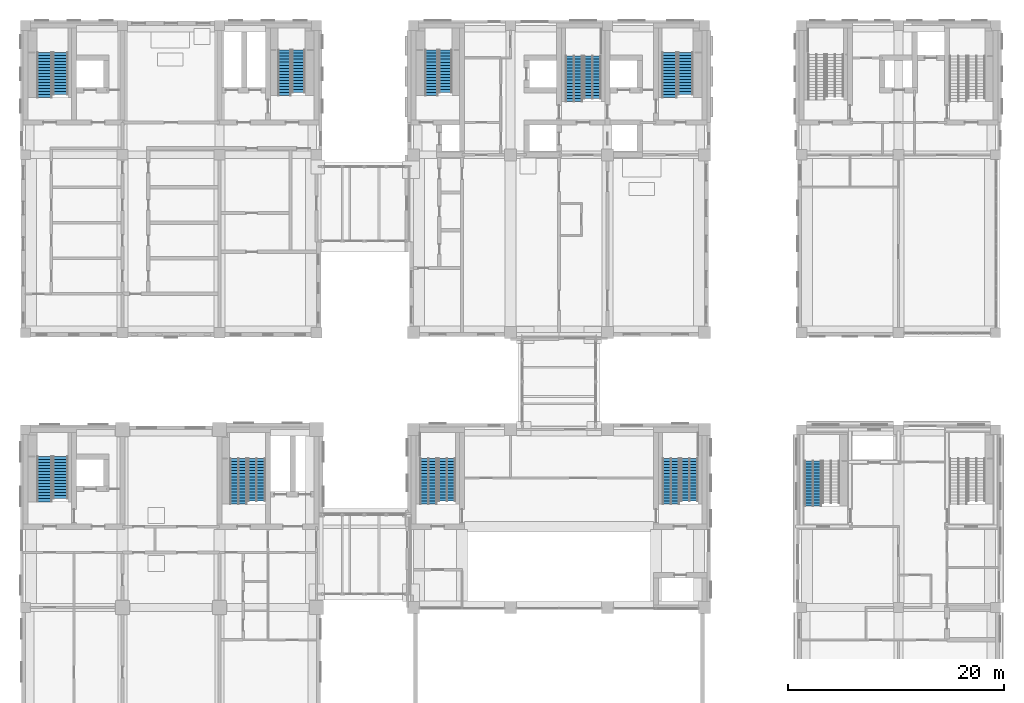
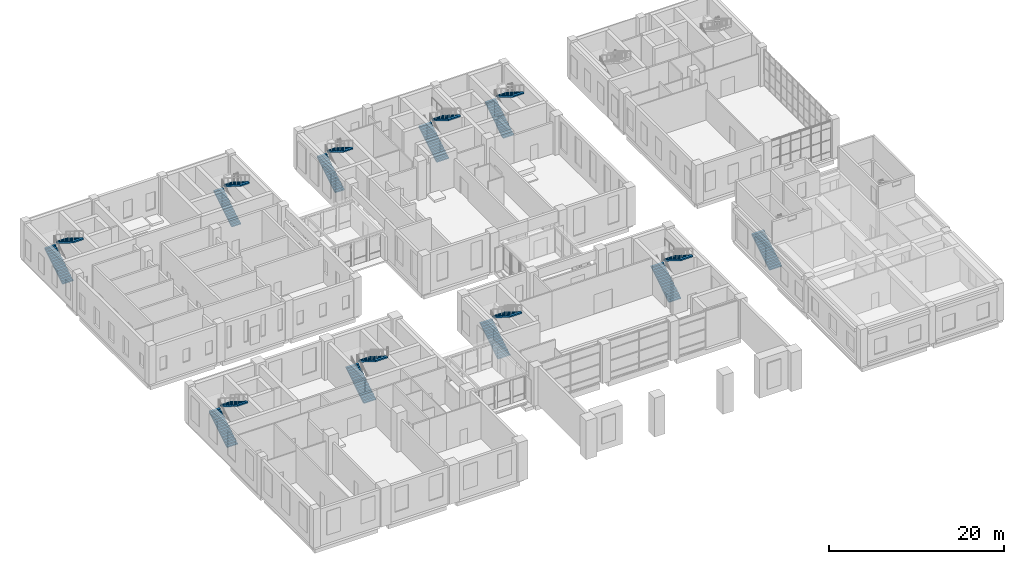
# One storey, part 40 of 52: 19 stair flights, 10 elements without a shape of their own.
"""IFC4 building model written with IfcOpenShell, lengths in metres."""

from ifc_helpers import new_model, si_unit, direction, frame, origin, place, context, subcontext, project, spatial, polyline, outline, extrude, material, type_object, element, aggregate, save


model = new_model("IFC4")

# Units and contexts
model_context = context("Model", 3, precision=1e-05, world=origin(), true_north=direction((0.0, 1.0)))
body_context = subcontext(model_context, "Body", "Model", "MODEL_VIEW")
ifc_project = project(units=[si_unit("LENGTHUNIT", "METRE"), si_unit("AREAUNIT", "SQUARE_METRE"), si_unit("VOLUMEUNIT", "CUBIC_METRE"), si_unit("PLANEANGLEUNIT", "RADIAN"), si_unit("MASSUNIT", "GRAM", prefix="KILO")], contexts=[model_context])

# Site, building, storey
site_placement = place(None, origin())
site = spatial("IfcSite", under=ifc_project, at=site_placement, CompositionType="ELEMENT")
building_placement = place(site_placement, origin())
building = spatial("IfcBuilding", under=site, at=building_placement, Name="Aurelan Courthouse", CompositionType="ELEMENT")
storey_placement = place(building_placement, frame((0.0, 0.0, 6.60009765625)))
storey = spatial("IfcBuildingStorey", under=building, at=storey_placement, Name="L01", CompositionType="ELEMENT", Elevation=6.60009765625)

# Stair, stair flights
ifc_material = material(Name="Concrete C30", Category="concrete")
stair_type_1 = type_object("IfcStairType", Name="Half-turn stair 1200 wide 31 risers", PredefinedType="HALF_TURN_STAIR", material=ifc_material)
stair_1_placement = place(storey_placement, origin())
stair_1 = element("IfcStair", 1, at=stair_1_placement, inside=storey, type_object=stair_type_1, Name="Stair CS-2-L01", PredefinedType="HALF_TURN_STAIR")
stair_flight_type_1 = type_object("IfcStairFlightType", Name="Stair flight 1200 wide 16 risers", PredefinedType="STRAIGHT", material=ifc_material)
stair_flight_1_placement = place(storey_placement, frame((37.659912109375, 59.510009765625, 0.0), z_axis=(0.0, 0.0, 1.0), x_axis=(0.0, 1.0, 0.0)))
stair_flight_1 = element("IfcStairFlight", 2, at=stair_flight_1_placement, type_object=stair_flight_type_1, Name="Stair CS-2-L01 flight 1", NumberOfRisers=16, NumberOfTreads=15, PredefinedType="STRAIGHT", RiserHeight=0.174193548, TreadLength=0.28, context=body_context, shape_type="SweptSolid", body=[
    extrude(outline(polyline([(0.0, 0.0), (0.0, 0.174072265625), (0.280029296875, 0.174072265625), (0.280029296875, 0.348388671875), (0.56005859375, 0.348388671875), (0.56005859375, 0.5224609375), (0.840087890625, 0.5224609375), (0.840087890625, 0.69677734375), (1.1201171875, 0.69677734375), (1.1201171875, 0.870849609375), (1.39990234375, 0.870849609375), (1.39990234375, 1.045166015625), (1.679931640625, 1.045166015625), (1.679931640625, 1.21923828125), (1.9599609375, 1.21923828125), (1.9599609375, 1.3935546875), (2.239990234375, 1.3935546875), (2.239990234375, 1.567626953125), (2.52001953125, 1.567626953125), (2.52001953125, 1.741943359375), (2.800048828125, 1.741943359375), (2.800048828125, 1.916015625), (3.080078125, 1.916015625), (3.080078125, 2.09033203125), (3.360107421875, 2.09033203125), (3.360107421875, 2.264404296875), (3.639892578125, 2.264404296875), (3.639892578125, 2.438720703125), (3.919921875, 2.438720703125), (3.919921875, 2.61279296875), (4.199951171875, 2.61279296875), (4.199951171875, 2.787109375), (4.199951171875, 2.436279296875), (0.28369140625, 0.0), (0.0, 0.0)])), frame((0.0, 0.60009765625, 0.0), z_axis=(0.0, -1.0, 0.0), x_axis=(1.0, 0.0, 0.0)), (0.0, 0.0, 1.0), 1.199951171875),
])
stair_flight_2_placement = place(storey_placement, frame((38.9599609375, 63.7099609375, 2.787109375), z_axis=(0.0, 0.0, 1.0), x_axis=(0.0, -1.0, 0.0)))
stair_flight_2 = element("IfcStairFlight", 3, at=stair_flight_2_placement, type_object=stair_flight_type_1, Name="Stair CS-2-L01 flight 2", NumberOfRisers=15, NumberOfTreads=14, PredefinedType="STRAIGHT", RiserHeight=0.174193548, TreadLength=0.28, context=body_context, shape_type="SweptSolid", body=[
    extrude(outline(polyline([(0.0, 0.0), (0.0, 0.174072265625), (0.280029296875, 0.174072265625), (0.280029296875, 0.348388671875), (0.56005859375, 0.348388671875), (0.56005859375, 0.5224609375), (0.840087890625, 0.5224609375), (0.840087890625, 0.69677734375), (1.1201171875, 0.69677734375), (1.1201171875, 0.870849609375), (1.39990234375, 0.870849609375), (1.39990234375, 1.045166015625), (1.679931640625, 1.045166015625), (1.679931640625, 1.21923828125), (1.9599609375, 1.21923828125), (1.9599609375, 1.3935546875), (2.239990234375, 1.3935546875), (2.239990234375, 1.567626953125), (2.52001953125, 1.567626953125), (2.52001953125, 1.741943359375), (2.800048828125, 1.741943359375), (2.800048828125, 1.916015625), (3.080078125, 1.916015625), (3.080078125, 2.09033203125), (3.360107421875, 2.09033203125), (3.360107421875, 2.264404296875), (3.639892578125, 2.264404296875), (3.639892578125, 2.438720703125), (3.919921875, 2.438720703125), (3.919921875, 2.61279296875), (3.919921875, 2.26220703125), (0.28369140625, 0.0), (0.0, 0.0)])), frame((0.0, 0.60009765625, 0.0), z_axis=(0.0, -1.0, 0.0), x_axis=(1.0, 0.0, 0.0)), (0.0, 0.0, 1.0), 1.199951171875),
])
aggregate(stair_1, [stair_flight_1, stair_flight_2])

stair_2_placement = place(storey_placement, origin())
stair_2 = element("IfcStair", 4, at=stair_2_placement, inside=storey, type_object=stair_type_1, Name="Stair CS-6-L01", PredefinedType="HALF_TURN_STAIR")
stair_flight_3_placement = place(storey_placement, frame((24.0400390625, 59.510009765625, 0.0), z_axis=(0.0, 0.0, 1.0), x_axis=(0.0, 1.0, 0.0)))
stair_flight_3 = element("IfcStairFlight", 5, at=stair_flight_3_placement, type_object=stair_flight_type_1, Name="Stair CS-6-L01 flight 1", NumberOfRisers=16, NumberOfTreads=15, PredefinedType="STRAIGHT", RiserHeight=0.174193548, TreadLength=0.28, context=body_context, shape_type="SweptSolid", body=[
    extrude(outline(polyline([(0.0, 0.0), (0.0, 0.174072265625), (0.280029296875, 0.174072265625), (0.280029296875, 0.348388671875), (0.56005859375, 0.348388671875), (0.56005859375, 0.5224609375), (0.840087890625, 0.5224609375), (0.840087890625, 0.69677734375), (1.1201171875, 0.69677734375), (1.1201171875, 0.870849609375), (1.39990234375, 0.870849609375), (1.39990234375, 1.045166015625), (1.679931640625, 1.045166015625), (1.679931640625, 1.21923828125), (1.9599609375, 1.21923828125), (1.9599609375, 1.3935546875), (2.239990234375, 1.3935546875), (2.239990234375, 1.567626953125), (2.52001953125, 1.567626953125), (2.52001953125, 1.741943359375), (2.800048828125, 1.741943359375), (2.800048828125, 1.916015625), (3.080078125, 1.916015625), (3.080078125, 2.09033203125), (3.360107421875, 2.09033203125), (3.360107421875, 2.264404296875), (3.639892578125, 2.264404296875), (3.639892578125, 2.438720703125), (3.919921875, 2.438720703125), (3.919921875, 2.61279296875), (4.199951171875, 2.61279296875), (4.199951171875, 2.787109375), (4.199951171875, 2.436279296875), (0.28369140625, 0.0), (0.0, 0.0)])), frame((0.0, 0.60009765625, 0.0), z_axis=(0.0, -1.0, 0.0), x_axis=(1.0, 0.0, 0.0)), (0.0, 0.0, 1.0), 1.199951171875),
])
stair_flight_4_placement = place(storey_placement, frame((25.340087890625, 63.7099609375, 2.787109375), z_axis=(0.0, 0.0, 1.0), x_axis=(0.0, -1.0, 0.0)))
stair_flight_4 = element("IfcStairFlight", 6, at=stair_flight_4_placement, type_object=stair_flight_type_1, Name="Stair CS-6-L01 flight 2", NumberOfRisers=15, NumberOfTreads=14, PredefinedType="STRAIGHT", RiserHeight=0.174193548, TreadLength=0.28, context=body_context, shape_type="SweptSolid", body=[
    extrude(outline(polyline([(0.0, 0.0), (0.0, 0.174072265625), (0.280029296875, 0.174072265625), (0.280029296875, 0.348388671875), (0.56005859375, 0.348388671875), (0.56005859375, 0.5224609375), (0.840087890625, 0.5224609375), (0.840087890625, 0.69677734375), (1.1201171875, 0.69677734375), (1.1201171875, 0.870849609375), (1.39990234375, 0.870849609375), (1.39990234375, 1.045166015625), (1.679931640625, 1.045166015625), (1.679931640625, 1.21923828125), (1.9599609375, 1.21923828125), (1.9599609375, 1.3935546875), (2.239990234375, 1.3935546875), (2.239990234375, 1.567626953125), (2.52001953125, 1.567626953125), (2.52001953125, 1.741943359375), (2.800048828125, 1.741943359375), (2.800048828125, 1.916015625), (3.080078125, 1.916015625), (3.080078125, 2.09033203125), (3.360107421875, 2.09033203125), (3.360107421875, 2.264404296875), (3.639892578125, 2.264404296875), (3.639892578125, 2.438720703125), (3.919921875, 2.438720703125), (3.919921875, 2.61279296875), (3.919921875, 2.26220703125), (0.28369140625, 0.0), (0.0, 0.0)])), frame((0.0, 0.60009765625, 0.0), z_axis=(0.0, -1.0, 0.0), x_axis=(1.0, 0.0, 0.0)), (0.0, 0.0, 1.0), 1.199951171875),
])
aggregate(stair_2, [stair_flight_3, stair_flight_4])

stair_type_2 = type_object("IfcStairType", Name="Half-turn stair 1400 wide 31 risers", PredefinedType="HALF_TURN_STAIR", material=ifc_material)
stair_3_placement = place(storey_placement, origin())
stair_3 = element("IfcStair", 7, at=stair_3_placement, inside=storey, type_object=stair_type_2, Name="Stair ST-2E-L01", PredefinedType="HALF_TURN_STAIR")
stair_flight_type_2 = type_object("IfcStairFlightType", Name="Stair flight 1400 wide 16 risers", PredefinedType="STRAIGHT", material=ifc_material)
stair_flight_5_placement = place(storey_placement, frame((59.739990234375, 59.31005859375, 0.0), z_axis=(0.0, 0.0, 1.0), x_axis=(0.0, 1.0, 0.0)))
stair_flight_5 = element("IfcStairFlight", 8, at=stair_flight_5_placement, type_object=stair_flight_type_2, Name="Stair ST-2E-L01 flight 1", NumberOfRisers=16, NumberOfTreads=15, PredefinedType="STRAIGHT", RiserHeight=0.174193548, TreadLength=0.28, context=body_context, shape_type="SweptSolid", body=[
    extrude(outline(polyline([(0.0, 0.0), (0.0, 0.174072265625), (0.280029296875, 0.174072265625), (0.280029296875, 0.348388671875), (0.56005859375, 0.348388671875), (0.56005859375, 0.5224609375), (0.840087890625, 0.5224609375), (0.840087890625, 0.69677734375), (1.1201171875, 0.69677734375), (1.1201171875, 0.870849609375), (1.39990234375, 0.870849609375), (1.39990234375, 1.045166015625), (1.679931640625, 1.045166015625), (1.679931640625, 1.21923828125), (1.9599609375, 1.21923828125), (1.9599609375, 1.3935546875), (2.239990234375, 1.3935546875), (2.239990234375, 1.567626953125), (2.52001953125, 1.567626953125), (2.52001953125, 1.741943359375), (2.800048828125, 1.741943359375), (2.800048828125, 1.916015625), (3.080078125, 1.916015625), (3.080078125, 2.09033203125), (3.360107421875, 2.09033203125), (3.360107421875, 2.264404296875), (3.639892578125, 2.264404296875), (3.639892578125, 2.438720703125), (3.919921875, 2.438720703125), (3.919921875, 2.61279296875), (4.199951171875, 2.61279296875), (4.199951171875, 2.787109375), (4.199951171875, 2.436279296875), (0.28369140625, 0.0), (0.0, 0.0)])), frame((0.0, 0.699951171875, 0.0), z_axis=(0.0, -1.0, 0.0), x_axis=(1.0, 0.0, 0.0)), (0.0, 0.0, 1.0), 1.39990234375),
])
stair_flight_6_placement = place(storey_placement, frame((61.239990234375, 63.510009765625, 2.787109375), z_axis=(0.0, 0.0, 1.0), x_axis=(0.0, -1.0, 0.0)))
stair_flight_6 = element("IfcStairFlight", 9, at=stair_flight_6_placement, type_object=stair_flight_type_2, Name="Stair ST-2E-L01 flight 2", NumberOfRisers=15, NumberOfTreads=14, PredefinedType="STRAIGHT", RiserHeight=0.174193548, TreadLength=0.28, context=body_context, shape_type="SweptSolid", body=[
    extrude(outline(polyline([(0.0, 0.0), (0.0, 0.174072265625), (0.280029296875, 0.174072265625), (0.280029296875, 0.348388671875), (0.56005859375, 0.348388671875), (0.56005859375, 0.5224609375), (0.840087890625, 0.5224609375), (0.840087890625, 0.69677734375), (1.1201171875, 0.69677734375), (1.1201171875, 0.870849609375), (1.39990234375, 0.870849609375), (1.39990234375, 1.045166015625), (1.679931640625, 1.045166015625), (1.679931640625, 1.21923828125), (1.9599609375, 1.21923828125), (1.9599609375, 1.3935546875), (2.239990234375, 1.3935546875), (2.239990234375, 1.567626953125), (2.52001953125, 1.567626953125), (2.52001953125, 1.741943359375), (2.800048828125, 1.741943359375), (2.800048828125, 1.916015625), (3.080078125, 1.916015625), (3.080078125, 2.09033203125), (3.360107421875, 2.09033203125), (3.360107421875, 2.264404296875), (3.639892578125, 2.264404296875), (3.639892578125, 2.438720703125), (3.919921875, 2.438720703125), (3.919921875, 2.61279296875), (3.919921875, 2.26220703125), (0.28369140625, 0.0), (0.0, 0.0)])), frame((0.0, 0.699951171875, 0.0), z_axis=(0.0, -1.0, 0.0), x_axis=(1.0, 0.0, 0.0)), (0.0, 0.0, 1.0), 1.39990234375),
])
aggregate(stair_3, [stair_flight_5, stair_flight_6])

stair_4_placement = place(storey_placement, origin())
stair_4 = element("IfcStair", 10, at=stair_4_placement, inside=storey, type_object=stair_type_2, Name="Stair ST-5B-L01", PredefinedType="HALF_TURN_STAIR")
stair_flight_7_placement = place(storey_placement, frame((1.760009765625, 21.81005859375, 0.0), z_axis=(0.0, 0.0, 1.0), x_axis=(0.0, 1.0, 0.0)))
stair_flight_7 = element("IfcStairFlight", 11, at=stair_flight_7_placement, type_object=stair_flight_type_2, Name="Stair ST-5B-L01 flight 1", NumberOfRisers=16, NumberOfTreads=15, PredefinedType="STRAIGHT", RiserHeight=0.174193548, TreadLength=0.28, context=body_context, shape_type="SweptSolid", body=[
    extrude(outline(polyline([(0.0, 0.0), (0.0, 0.174072265625), (0.280029296875, 0.174072265625), (0.280029296875, 0.348388671875), (0.56005859375, 0.348388671875), (0.56005859375, 0.5224609375), (0.840087890625, 0.5224609375), (0.840087890625, 0.69677734375), (1.1201171875, 0.69677734375), (1.1201171875, 0.870849609375), (1.39990234375, 0.870849609375), (1.39990234375, 1.045166015625), (1.679931640625, 1.045166015625), (1.679931640625, 1.21923828125), (1.9599609375, 1.21923828125), (1.9599609375, 1.3935546875), (2.239990234375, 1.3935546875), (2.239990234375, 1.567626953125), (2.52001953125, 1.567626953125), (2.52001953125, 1.741943359375), (2.800048828125, 1.741943359375), (2.800048828125, 1.916015625), (3.080078125, 1.916015625), (3.080078125, 2.09033203125), (3.360107421875, 2.09033203125), (3.360107421875, 2.264404296875), (3.639892578125, 2.264404296875), (3.639892578125, 2.438720703125), (3.919921875, 2.438720703125), (3.919921875, 2.61279296875), (4.199951171875, 2.61279296875), (4.199951171875, 2.787109375), (4.199951171875, 2.436279296875), (0.28369140625, 0.0), (0.0, 0.0)])), frame((0.0, 0.699951171875, 0.0), z_axis=(0.0, -1.0, 0.0), x_axis=(1.0, 0.0, 0.0)), (0.0, 0.0, 1.0), 1.39990234375),
])
stair_flight_8_placement = place(storey_placement, frame((3.260009765625, 26.010009765625, 2.787109375), z_axis=(0.0, 0.0, 1.0), x_axis=(0.0, -1.0, 0.0)))
stair_flight_8 = element("IfcStairFlight", 12, at=stair_flight_8_placement, type_object=stair_flight_type_2, Name="Stair ST-5B-L01 flight 2", NumberOfRisers=15, NumberOfTreads=14, PredefinedType="STRAIGHT", RiserHeight=0.174193548, TreadLength=0.28, context=body_context, shape_type="SweptSolid", body=[
    extrude(outline(polyline([(0.0, 0.0), (0.0, 0.174072265625), (0.280029296875, 0.174072265625), (0.280029296875, 0.348388671875), (0.56005859375, 0.348388671875), (0.56005859375, 0.5224609375), (0.840087890625, 0.5224609375), (0.840087890625, 0.69677734375), (1.1201171875, 0.69677734375), (1.1201171875, 0.870849609375), (1.39990234375, 0.870849609375), (1.39990234375, 1.045166015625), (1.679931640625, 1.045166015625), (1.679931640625, 1.21923828125), (1.9599609375, 1.21923828125), (1.9599609375, 1.3935546875), (2.239990234375, 1.3935546875), (2.239990234375, 1.567626953125), (2.52001953125, 1.567626953125), (2.52001953125, 1.741943359375), (2.800048828125, 1.741943359375), (2.800048828125, 1.916015625), (3.080078125, 1.916015625), (3.080078125, 2.09033203125), (3.360107421875, 2.09033203125), (3.360107421875, 2.264404296875), (3.639892578125, 2.264404296875), (3.639892578125, 2.438720703125), (3.919921875, 2.438720703125), (3.919921875, 2.61279296875), (3.919921875, 2.26220703125), (0.28369140625, 0.0), (0.0, 0.0)])), frame((0.0, 0.699951171875, 0.0), z_axis=(0.0, -1.0, 0.0), x_axis=(1.0, 0.0, 0.0)), (0.0, 0.0, 1.0), 1.39990234375),
])
aggregate(stair_4, [stair_flight_7, stair_flight_8])

stair_5_placement = place(storey_placement, origin())
stair_5 = element("IfcStair", 13, at=stair_5_placement, inside=storey, type_object=stair_type_2, Name="Stair ST-6-L01", PredefinedType="HALF_TURN_STAIR")
stair_flight_9_placement = place(storey_placement, frame((1.760009765625, 59.31005859375, 0.0), z_axis=(0.0, 0.0, 1.0), x_axis=(0.0, 1.0, 0.0)))
stair_flight_9 = element("IfcStairFlight", 14, at=stair_flight_9_placement, type_object=stair_flight_type_2, Name="Stair ST-6-L01 flight 1", NumberOfRisers=16, NumberOfTreads=15, PredefinedType="STRAIGHT", RiserHeight=0.174193548, TreadLength=0.28, context=body_context, shape_type="SweptSolid", body=[
    extrude(outline(polyline([(0.0, 0.0), (0.0, 0.174072265625), (0.280029296875, 0.174072265625), (0.280029296875, 0.348388671875), (0.56005859375, 0.348388671875), (0.56005859375, 0.5224609375), (0.840087890625, 0.5224609375), (0.840087890625, 0.69677734375), (1.1201171875, 0.69677734375), (1.1201171875, 0.870849609375), (1.39990234375, 0.870849609375), (1.39990234375, 1.045166015625), (1.679931640625, 1.045166015625), (1.679931640625, 1.21923828125), (1.9599609375, 1.21923828125), (1.9599609375, 1.3935546875), (2.239990234375, 1.3935546875), (2.239990234375, 1.567626953125), (2.52001953125, 1.567626953125), (2.52001953125, 1.741943359375), (2.800048828125, 1.741943359375), (2.800048828125, 1.916015625), (3.080078125, 1.916015625), (3.080078125, 2.09033203125), (3.360107421875, 2.09033203125), (3.360107421875, 2.264404296875), (3.639892578125, 2.264404296875), (3.639892578125, 2.438720703125), (3.919921875, 2.438720703125), (3.919921875, 2.61279296875), (4.199951171875, 2.61279296875), (4.199951171875, 2.787109375), (4.199951171875, 2.436279296875), (0.28369140625, 0.0), (0.0, 0.0)])), frame((0.0, 0.699951171875, 0.0), z_axis=(0.0, -1.0, 0.0), x_axis=(1.0, 0.0, 0.0)), (0.0, 0.0, 1.0), 1.39990234375),
])
stair_flight_10_placement = place(storey_placement, frame((3.260009765625, 63.510009765625, 2.787109375), z_axis=(0.0, 0.0, 1.0), x_axis=(0.0, -1.0, 0.0)))
stair_flight_10 = element("IfcStairFlight", 15, at=stair_flight_10_placement, type_object=stair_flight_type_2, Name="Stair ST-6-L01 flight 2", NumberOfRisers=15, NumberOfTreads=14, PredefinedType="STRAIGHT", RiserHeight=0.174193548, TreadLength=0.28, context=body_context, shape_type="SweptSolid", body=[
    extrude(outline(polyline([(0.0, 0.0), (0.0, 0.174072265625), (0.280029296875, 0.174072265625), (0.280029296875, 0.348388671875), (0.56005859375, 0.348388671875), (0.56005859375, 0.5224609375), (0.840087890625, 0.5224609375), (0.840087890625, 0.69677734375), (1.1201171875, 0.69677734375), (1.1201171875, 0.870849609375), (1.39990234375, 0.870849609375), (1.39990234375, 1.045166015625), (1.679931640625, 1.045166015625), (1.679931640625, 1.21923828125), (1.9599609375, 1.21923828125), (1.9599609375, 1.3935546875), (2.239990234375, 1.3935546875), (2.239990234375, 1.567626953125), (2.52001953125, 1.567626953125), (2.52001953125, 1.741943359375), (2.800048828125, 1.741943359375), (2.800048828125, 1.916015625), (3.080078125, 1.916015625), (3.080078125, 2.09033203125), (3.360107421875, 2.09033203125), (3.360107421875, 2.264404296875), (3.639892578125, 2.264404296875), (3.639892578125, 2.438720703125), (3.919921875, 2.438720703125), (3.919921875, 2.61279296875), (3.919921875, 2.26220703125), (0.28369140625, 0.0), (0.0, 0.0)])), frame((0.0, 0.699951171875, 0.0), z_axis=(0.0, -1.0, 0.0), x_axis=(1.0, 0.0, 0.0)), (0.0, 0.0, 1.0), 1.39990234375),
])
aggregate(stair_5, [stair_flight_9, stair_flight_10])

stair_type_3 = type_object("IfcStairType", Name="Half-turn stair 1600 wide 31 risers", PredefinedType="HALF_TURN_STAIR", material=ifc_material)
stair_6_placement = place(storey_placement, origin())
stair_6 = element("IfcStair", 16, at=stair_6_placement, inside=storey, type_object=stair_type_3, Name="Stair ST-1E-L01", PredefinedType="HALF_TURN_STAIR")
stair_flight_type_3 = type_object("IfcStairFlightType", Name="Stair flight 1600 wide 16 risers", PredefinedType="STRAIGHT", material=ifc_material)
stair_flight_11_placement = place(storey_placement, frame((59.89990234375, 21.610107421875, 0.0), z_axis=(0.0, 0.0, 1.0), x_axis=(0.0, 1.0, 0.0)))
stair_flight_11 = element("IfcStairFlight", 17, at=stair_flight_11_placement, type_object=stair_flight_type_3, Name="Stair ST-1E-L01 flight 1", NumberOfRisers=16, NumberOfTreads=15, PredefinedType="STRAIGHT", RiserHeight=0.174193548, TreadLength=0.28, context=body_context, shape_type="SweptSolid", body=[
    extrude(outline(polyline([(0.0, 0.0), (0.0, 0.174072265625), (0.280029296875, 0.174072265625), (0.280029296875, 0.348388671875), (0.56005859375, 0.348388671875), (0.56005859375, 0.5224609375), (0.840087890625, 0.5224609375), (0.840087890625, 0.69677734375), (1.1201171875, 0.69677734375), (1.1201171875, 0.870849609375), (1.39990234375, 0.870849609375), (1.39990234375, 1.045166015625), (1.679931640625, 1.045166015625), (1.679931640625, 1.21923828125), (1.9599609375, 1.21923828125), (1.9599609375, 1.3935546875), (2.239990234375, 1.3935546875), (2.239990234375, 1.567626953125), (2.52001953125, 1.567626953125), (2.52001953125, 1.741943359375), (2.800048828125, 1.741943359375), (2.800048828125, 1.916015625), (3.080078125, 1.916015625), (3.080078125, 2.09033203125), (3.360107421875, 2.09033203125), (3.360107421875, 2.264404296875), (3.639892578125, 2.264404296875), (3.639892578125, 2.438720703125), (3.919921875, 2.438720703125), (3.919921875, 2.61279296875), (4.199951171875, 2.61279296875), (4.199951171875, 2.787109375), (4.199951171875, 2.436279296875), (0.28369140625, 0.0), (0.0, 0.0)])), frame((0.0, 0.800048828125, 0.0), z_axis=(0.0, -1.0, 0.0), x_axis=(1.0, 0.0, 0.0)), (0.0, 0.0, 1.0), 1.60009765625),
])
stair_flight_12_placement = place(storey_placement, frame((61.60009765625, 25.81005859375, 2.787109375), z_axis=(0.0, 0.0, 1.0), x_axis=(0.0, -1.0, 0.0)))
stair_flight_12 = element("IfcStairFlight", 18, at=stair_flight_12_placement, type_object=stair_flight_type_3, Name="Stair ST-1E-L01 flight 2", NumberOfRisers=15, NumberOfTreads=14, PredefinedType="STRAIGHT", RiserHeight=0.174193548, TreadLength=0.28, context=body_context, shape_type="SweptSolid", body=[
    extrude(outline(polyline([(0.0, 0.0), (0.0, 0.174072265625), (0.280029296875, 0.174072265625), (0.280029296875, 0.348388671875), (0.56005859375, 0.348388671875), (0.56005859375, 0.5224609375), (0.840087890625, 0.5224609375), (0.840087890625, 0.69677734375), (1.1201171875, 0.69677734375), (1.1201171875, 0.870849609375), (1.39990234375, 0.870849609375), (1.39990234375, 1.045166015625), (1.679931640625, 1.045166015625), (1.679931640625, 1.21923828125), (1.9599609375, 1.21923828125), (1.9599609375, 1.3935546875), (2.239990234375, 1.3935546875), (2.239990234375, 1.567626953125), (2.52001953125, 1.567626953125), (2.52001953125, 1.741943359375), (2.800048828125, 1.741943359375), (2.800048828125, 1.916015625), (3.080078125, 1.916015625), (3.080078125, 2.09033203125), (3.360107421875, 2.09033203125), (3.360107421875, 2.264404296875), (3.639892578125, 2.264404296875), (3.639892578125, 2.438720703125), (3.919921875, 2.438720703125), (3.919921875, 2.61279296875), (3.919921875, 2.26220703125), (0.28369140625, 0.0), (0.0, 0.0)])), frame((0.0, 0.800048828125, 0.0), z_axis=(0.0, -1.0, 0.0), x_axis=(1.0, 0.0, 0.0)), (0.0, 0.0, 1.0), 1.60009765625),
])
aggregate(stair_6, [stair_flight_11, stair_flight_12])

stair_7_placement = place(storey_placement, origin())
stair_7 = element("IfcStair", 19, at=stair_7_placement, inside=storey, type_object=stair_type_3, Name="Stair ST-1W-L01", PredefinedType="HALF_TURN_STAIR")
stair_flight_13_placement = place(storey_placement, frame((37.39990234375, 21.610107421875, 0.0), z_axis=(0.0, 0.0, 1.0), x_axis=(0.0, 1.0, 0.0)))
stair_flight_13 = element("IfcStairFlight", 20, at=stair_flight_13_placement, type_object=stair_flight_type_3, Name="Stair ST-1W-L01 flight 1", NumberOfRisers=16, NumberOfTreads=15, PredefinedType="STRAIGHT", RiserHeight=0.174193548, TreadLength=0.28, context=body_context, shape_type="SweptSolid", body=[
    extrude(outline(polyline([(0.0, 0.0), (0.0, 0.174072265625), (0.280029296875, 0.174072265625), (0.280029296875, 0.348388671875), (0.56005859375, 0.348388671875), (0.56005859375, 0.5224609375), (0.840087890625, 0.5224609375), (0.840087890625, 0.69677734375), (1.1201171875, 0.69677734375), (1.1201171875, 0.870849609375), (1.39990234375, 0.870849609375), (1.39990234375, 1.045166015625), (1.679931640625, 1.045166015625), (1.679931640625, 1.21923828125), (1.9599609375, 1.21923828125), (1.9599609375, 1.3935546875), (2.239990234375, 1.3935546875), (2.239990234375, 1.567626953125), (2.52001953125, 1.567626953125), (2.52001953125, 1.741943359375), (2.800048828125, 1.741943359375), (2.800048828125, 1.916015625), (3.080078125, 1.916015625), (3.080078125, 2.09033203125), (3.360107421875, 2.09033203125), (3.360107421875, 2.264404296875), (3.639892578125, 2.264404296875), (3.639892578125, 2.438720703125), (3.919921875, 2.438720703125), (3.919921875, 2.61279296875), (4.199951171875, 2.61279296875), (4.199951171875, 2.787109375), (4.199951171875, 2.436279296875), (0.28369140625, 0.0), (0.0, 0.0)])), frame((0.0, 0.800048828125, 0.0), z_axis=(0.0, -1.0, 0.0), x_axis=(1.0, 0.0, 0.0)), (0.0, 0.0, 1.0), 1.60009765625),
])
stair_flight_14_placement = place(storey_placement, frame((39.10009765625, 25.81005859375, 2.787109375), z_axis=(0.0, 0.0, 1.0), x_axis=(0.0, -1.0, 0.0)))
stair_flight_14 = element("IfcStairFlight", 21, at=stair_flight_14_placement, type_object=stair_flight_type_3, Name="Stair ST-1W-L01 flight 2", NumberOfRisers=15, NumberOfTreads=14, PredefinedType="STRAIGHT", RiserHeight=0.174193548, TreadLength=0.28, context=body_context, shape_type="SweptSolid", body=[
    extrude(outline(polyline([(0.0, 0.0), (0.0, 0.174072265625), (0.280029296875, 0.174072265625), (0.280029296875, 0.348388671875), (0.56005859375, 0.348388671875), (0.56005859375, 0.5224609375), (0.840087890625, 0.5224609375), (0.840087890625, 0.69677734375), (1.1201171875, 0.69677734375), (1.1201171875, 0.870849609375), (1.39990234375, 0.870849609375), (1.39990234375, 1.045166015625), (1.679931640625, 1.045166015625), (1.679931640625, 1.21923828125), (1.9599609375, 1.21923828125), (1.9599609375, 1.3935546875), (2.239990234375, 1.3935546875), (2.239990234375, 1.567626953125), (2.52001953125, 1.567626953125), (2.52001953125, 1.741943359375), (2.800048828125, 1.741943359375), (2.800048828125, 1.916015625), (3.080078125, 1.916015625), (3.080078125, 2.09033203125), (3.360107421875, 2.09033203125), (3.360107421875, 2.264404296875), (3.639892578125, 2.264404296875), (3.639892578125, 2.438720703125), (3.919921875, 2.438720703125), (3.919921875, 2.61279296875), (3.919921875, 2.26220703125), (0.28369140625, 0.0), (0.0, 0.0)])), frame((0.0, 0.800048828125, 0.0), z_axis=(0.0, -1.0, 0.0), x_axis=(1.0, 0.0, 0.0)), (0.0, 0.0, 1.0), 1.60009765625),
])
aggregate(stair_7, [stair_flight_13, stair_flight_14])

stair_8_placement = place(storey_placement, origin())
stair_8 = element("IfcStair", 22, at=stair_8_placement, inside=storey, type_object=stair_type_3, Name="Stair ST-2A-L01", PredefinedType="HALF_TURN_STAIR")
stair_flight_15_placement = place(storey_placement, frame((50.89990234375, 58.9599609375, 0.0), z_axis=(0.0, 0.0, 1.0), x_axis=(0.0, 1.0, 0.0)))
stair_flight_15 = element("IfcStairFlight", 23, at=stair_flight_15_placement, type_object=stair_flight_type_3, Name="Stair ST-2A-L01 flight 1", NumberOfRisers=16, NumberOfTreads=15, PredefinedType="STRAIGHT", RiserHeight=0.174193548, TreadLength=0.28, context=body_context, shape_type="SweptSolid", body=[
    extrude(outline(polyline([(0.0, 0.0), (0.0, 0.174072265625), (0.280029296875, 0.174072265625), (0.280029296875, 0.348388671875), (0.56005859375, 0.348388671875), (0.56005859375, 0.5224609375), (0.840087890625, 0.5224609375), (0.840087890625, 0.69677734375), (1.1201171875, 0.69677734375), (1.1201171875, 0.870849609375), (1.39990234375, 0.870849609375), (1.39990234375, 1.045166015625), (1.679931640625, 1.045166015625), (1.679931640625, 1.21923828125), (1.9599609375, 1.21923828125), (1.9599609375, 1.3935546875), (2.239990234375, 1.3935546875), (2.239990234375, 1.567626953125), (2.52001953125, 1.567626953125), (2.52001953125, 1.741943359375), (2.800048828125, 1.741943359375), (2.800048828125, 1.916015625), (3.080078125, 1.916015625), (3.080078125, 2.09033203125), (3.360107421875, 2.09033203125), (3.360107421875, 2.264404296875), (3.639892578125, 2.264404296875), (3.639892578125, 2.438720703125), (3.919921875, 2.438720703125), (3.919921875, 2.61279296875), (4.199951171875, 2.61279296875), (4.199951171875, 2.787109375), (4.199951171875, 2.436279296875), (0.28369140625, 0.0), (0.0, 0.0)])), frame((0.0, 0.800048828125, 0.0), z_axis=(0.0, -1.0, 0.0), x_axis=(1.0, 0.0, 0.0)), (0.0, 0.0, 1.0), 1.60009765625),
])
stair_flight_16_placement = place(storey_placement, frame((52.60009765625, 63.159912109375, 2.787109375), z_axis=(0.0, 0.0, 1.0), x_axis=(0.0, -1.0, 0.0)))
stair_flight_16 = element("IfcStairFlight", 24, at=stair_flight_16_placement, type_object=stair_flight_type_3, Name="Stair ST-2A-L01 flight 2", NumberOfRisers=15, NumberOfTreads=14, PredefinedType="STRAIGHT", RiserHeight=0.174193548, TreadLength=0.28, context=body_context, shape_type="SweptSolid", body=[
    extrude(outline(polyline([(0.0, 0.0), (0.0, 0.174072265625), (0.280029296875, 0.174072265625), (0.280029296875, 0.348388671875), (0.56005859375, 0.348388671875), (0.56005859375, 0.5224609375), (0.840087890625, 0.5224609375), (0.840087890625, 0.69677734375), (1.1201171875, 0.69677734375), (1.1201171875, 0.870849609375), (1.39990234375, 0.870849609375), (1.39990234375, 1.045166015625), (1.679931640625, 1.045166015625), (1.679931640625, 1.21923828125), (1.9599609375, 1.21923828125), (1.9599609375, 1.3935546875), (2.239990234375, 1.3935546875), (2.239990234375, 1.567626953125), (2.52001953125, 1.567626953125), (2.52001953125, 1.741943359375), (2.800048828125, 1.741943359375), (2.800048828125, 1.916015625), (3.080078125, 1.916015625), (3.080078125, 2.09033203125), (3.360107421875, 2.09033203125), (3.360107421875, 2.264404296875), (3.639892578125, 2.264404296875), (3.639892578125, 2.438720703125), (3.919921875, 2.438720703125), (3.919921875, 2.61279296875), (3.919921875, 2.26220703125), (0.28369140625, 0.0), (0.0, 0.0)])), frame((0.0, 0.800048828125, 0.0), z_axis=(0.0, -1.0, 0.0), x_axis=(1.0, 0.0, 0.0)), (0.0, 0.0, 1.0), 1.60009765625),
])
aggregate(stair_8, [stair_flight_15, stair_flight_16])

# Stair, stair flight
stair_9_placement = place(storey_placement, origin())
stair_9 = element("IfcStair", 25, at=stair_9_placement, inside=storey, type_object=stair_type_3, Name="Stair ST-4A-L01", PredefinedType="HALF_TURN_STAIR")
stair_flight_17_placement = place(storey_placement, frame((73.050048828125, 21.409912109375, 0.0), z_axis=(0.0, 0.0, 1.0), x_axis=(0.0, 1.0, 0.0)))
stair_flight_17 = element("IfcStairFlight", 26, at=stair_flight_17_placement, type_object=stair_flight_type_3, Name="Stair ST-4A-L01 flight 1", NumberOfRisers=16, NumberOfTreads=15, PredefinedType="STRAIGHT", RiserHeight=0.174193548, TreadLength=0.28, context=body_context, shape_type="SweptSolid", body=[
    extrude(outline(polyline([(0.0, 0.0), (0.0, 0.174072265625), (0.280029296875, 0.174072265625), (0.280029296875, 0.348388671875), (0.56005859375, 0.348388671875), (0.56005859375, 0.5224609375), (0.840087890625, 0.5224609375), (0.840087890625, 0.69677734375), (1.1201171875, 0.69677734375), (1.1201171875, 0.870849609375), (1.39990234375, 0.870849609375), (1.39990234375, 1.045166015625), (1.679931640625, 1.045166015625), (1.679931640625, 1.21923828125), (1.9599609375, 1.21923828125), (1.9599609375, 1.3935546875), (2.239990234375, 1.3935546875), (2.239990234375, 1.567626953125), (2.52001953125, 1.567626953125), (2.52001953125, 1.741943359375), (2.800048828125, 1.741943359375), (2.800048828125, 1.916015625), (3.080078125, 1.916015625), (3.080078125, 2.09033203125), (3.360107421875, 2.09033203125), (3.360107421875, 2.264404296875), (3.639892578125, 2.264404296875), (3.639892578125, 2.438720703125), (3.919921875, 2.438720703125), (3.919921875, 2.61279296875), (4.199951171875, 2.61279296875), (4.199951171875, 2.787109375), (4.199951171875, 2.436279296875), (0.28369140625, 0.0), (0.0, 0.0)])), frame((0.0, 0.800048828125, 0.0), z_axis=(0.0, -1.0, 0.0), x_axis=(1.0, 0.0, 0.0)), (0.0, 0.0, 1.0), 1.60009765625),
])
aggregate(stair_9, [stair_flight_17])

# Stair, stair flights
stair_10_placement = place(storey_placement, origin())
stair_10 = element("IfcStair", 27, at=stair_10_placement, inside=storey, type_object=stair_type_3, Name="Stair ST-5A-L01", PredefinedType="HALF_TURN_STAIR")
stair_flight_18_placement = place(storey_placement, frame((19.75, 21.610107421875, 0.0), z_axis=(0.0, 0.0, 1.0), x_axis=(0.0, 1.0, 0.0)))
stair_flight_18 = element("IfcStairFlight", 28, at=stair_flight_18_placement, type_object=stair_flight_type_3, Name="Stair ST-5A-L01 flight 1", NumberOfRisers=16, NumberOfTreads=15, PredefinedType="STRAIGHT", RiserHeight=0.174193548, TreadLength=0.28, context=body_context, shape_type="SweptSolid", body=[
    extrude(outline(polyline([(0.0, 0.0), (0.0, 0.174072265625), (0.280029296875, 0.174072265625), (0.280029296875, 0.348388671875), (0.56005859375, 0.348388671875), (0.56005859375, 0.5224609375), (0.840087890625, 0.5224609375), (0.840087890625, 0.69677734375), (1.1201171875, 0.69677734375), (1.1201171875, 0.870849609375), (1.39990234375, 0.870849609375), (1.39990234375, 1.045166015625), (1.679931640625, 1.045166015625), (1.679931640625, 1.21923828125), (1.9599609375, 1.21923828125), (1.9599609375, 1.3935546875), (2.239990234375, 1.3935546875), (2.239990234375, 1.567626953125), (2.52001953125, 1.567626953125), (2.52001953125, 1.741943359375), (2.800048828125, 1.741943359375), (2.800048828125, 1.916015625), (3.080078125, 1.916015625), (3.080078125, 2.09033203125), (3.360107421875, 2.09033203125), (3.360107421875, 2.264404296875), (3.639892578125, 2.264404296875), (3.639892578125, 2.438720703125), (3.919921875, 2.438720703125), (3.919921875, 2.61279296875), (4.199951171875, 2.61279296875), (4.199951171875, 2.787109375), (4.199951171875, 2.436279296875), (0.28369140625, 0.0), (0.0, 0.0)])), frame((0.0, 0.800048828125, 0.0), z_axis=(0.0, -1.0, 0.0), x_axis=(1.0, 0.0, 0.0)), (0.0, 0.0, 1.0), 1.60009765625),
])
stair_flight_19_placement = place(storey_placement, frame((21.449951171875, 25.81005859375, 2.787109375), z_axis=(0.0, 0.0, 1.0), x_axis=(0.0, -1.0, 0.0)))
stair_flight_19 = element("IfcStairFlight", 29, at=stair_flight_19_placement, type_object=stair_flight_type_3, Name="Stair ST-5A-L01 flight 2", NumberOfRisers=15, NumberOfTreads=14, PredefinedType="STRAIGHT", RiserHeight=0.174193548, TreadLength=0.28, context=body_context, shape_type="SweptSolid", body=[
    extrude(outline(polyline([(0.0, 0.0), (0.0, 0.174072265625), (0.280029296875, 0.174072265625), (0.280029296875, 0.348388671875), (0.56005859375, 0.348388671875), (0.56005859375, 0.5224609375), (0.840087890625, 0.5224609375), (0.840087890625, 0.69677734375), (1.1201171875, 0.69677734375), (1.1201171875, 0.870849609375), (1.39990234375, 0.870849609375), (1.39990234375, 1.045166015625), (1.679931640625, 1.045166015625), (1.679931640625, 1.21923828125), (1.9599609375, 1.21923828125), (1.9599609375, 1.3935546875), (2.239990234375, 1.3935546875), (2.239990234375, 1.567626953125), (2.52001953125, 1.567626953125), (2.52001953125, 1.741943359375), (2.800048828125, 1.741943359375), (2.800048828125, 1.916015625), (3.080078125, 1.916015625), (3.080078125, 2.09033203125), (3.360107421875, 2.09033203125), (3.360107421875, 2.264404296875), (3.639892578125, 2.264404296875), (3.639892578125, 2.438720703125), (3.919921875, 2.438720703125), (3.919921875, 2.61279296875), (3.919921875, 2.26220703125), (0.28369140625, 0.0), (0.0, 0.0)])), frame((0.0, 0.800048828125, 0.0), z_axis=(0.0, -1.0, 0.0), x_axis=(1.0, 0.0, 0.0)), (0.0, 0.0, 1.0), 1.60009765625),
])
aggregate(stair_10, [stair_flight_18, stair_flight_19])

save(model, "model.ifc")
